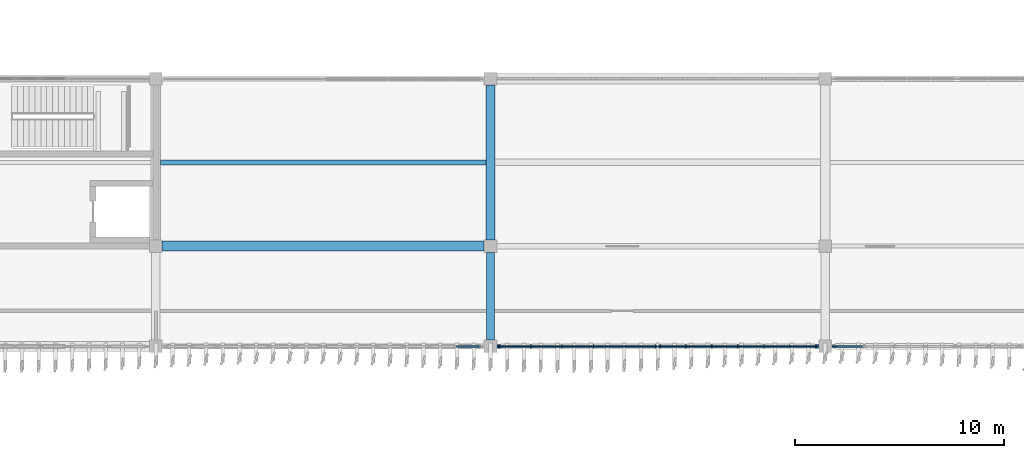
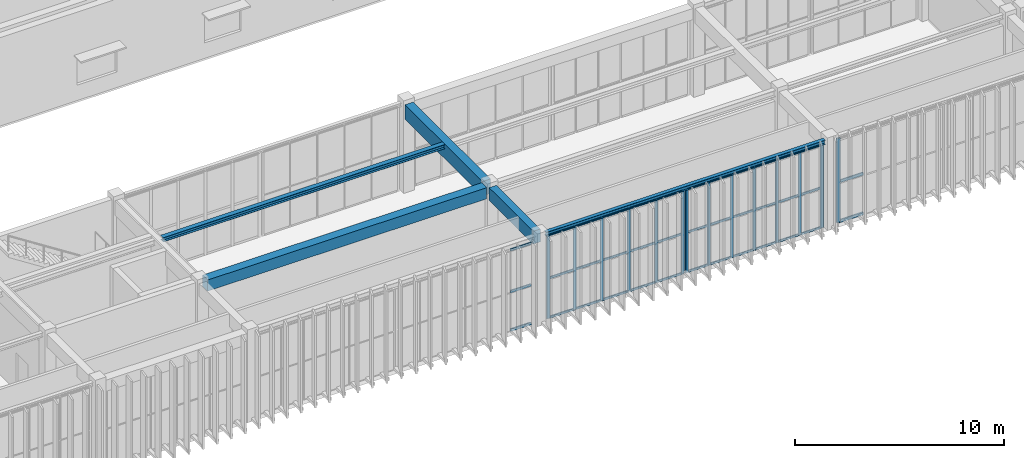
# One storey, part 16 of 64: 52 members, 5 beams, 4 elements without a shape of their own.
"""IFC4 building model written with IfcOpenShell, lengths in metres."""

from ifc_helpers import new_model, si_unit, direction, frame, origin, origin_2d, place, context, subcontext, project, spatial, rectangle, i_section, extrude, material, layer, layer_set, material_profile, profile_set, type_object, element, aggregate, save


model = new_model("IFC4")

# Units and contexts
model_context = context("Model", 3, precision=1e-05, world=origin(), true_north=direction((0.0, 1.0)))
body_context = subcontext(model_context, "Body", "Model", "MODEL_VIEW")
ifc_project = project(units=[si_unit("LENGTHUNIT", "METRE"), si_unit("AREAUNIT", "SQUARE_METRE"), si_unit("VOLUMEUNIT", "CUBIC_METRE"), si_unit("PLANEANGLEUNIT", "RADIAN"), si_unit("MASSUNIT", "GRAM", prefix="KILO")], contexts=[model_context])

# Site, building, storey
site_placement = place(None, origin())
site = spatial("IfcSite", under=ifc_project, at=site_placement, CompositionType="ELEMENT")
building_placement = place(site_placement, origin())
building = spatial("IfcBuilding", under=site, at=building_placement, Name="Cinchona Park Media Centre", CompositionType="ELEMENT")
storey_placement = place(building_placement, frame((0.0, 0.0, 10.199951171875)))
storey = spatial("IfcBuildingStorey", under=building, at=storey_placement, Name="L02", CompositionType="ELEMENT", Elevation=10.199951171875)

# Beams
ifc_material_1 = material(Name="Concrete C35/45", Category="concrete")
ifc_material_profile_1 = material_profile(ifc_material_1, rectangle(XDim=0.39990234375, YDim=0.75, at=origin_2d()), Name="RB 400X750")
ifc_profile_set_1 = profile_set([ifc_material_profile_1], Name="Concrete C35/45")
beam_type_1 = type_object("IfcBeamType", Name="BEAM-B01-RB400X750", PredefinedType="BEAM", material=ifc_profile_set_1)
beam_1_placement = place(storey_placement, frame((110.800048828125, 75.10009765625, 4.78515625), z_axis=(0.0, 1.0, 0.0), x_axis=(-1.0, 0.0, 0.0)))
element("IfcBeam", 1, at=beam_1_placement, inside=storey, type_object=beam_type_1, Name="Girder B01 L02", PredefinedType="BEAM", context=body_context, shape_type="SweptSolid", body=[
    extrude(rectangle(XDim=0.39990234375, YDim=0.75, at=origin_2d()), origin(), (0.0, 0.0, 1.0), 4.199951171875),
])
ifc_material_2 = material(Name="Concrete C35/45", Category="concrete")
ifc_material_profile_2 = material_profile(ifc_material_2, rectangle(XDim=0.449951171875, YDim=0.85009765625, at=origin_2d()), Name="RB 450X850")
ifc_profile_set_2 = profile_set([ifc_material_profile_2], Name="Concrete C35/45")
beam_type_2 = type_object("IfcBeamType", Name="BEAM-B02-RB450X850", PredefinedType="BEAM", material=ifc_profile_set_2)
beam_2_placement = place(storey_placement, frame((110.800048828125, 79.89990234375, 4.735107421875), z_axis=(0.0, 1.0, 0.0), x_axis=(-1.0, 0.0, 0.0)))
element("IfcBeam", 2, at=beam_2_placement, inside=storey, type_object=beam_type_2, Name="Girder B02 L02", PredefinedType="BEAM", context=body_context, shape_type="SweptSolid", body=[
    extrude(rectangle(XDim=0.449951171875, YDim=0.85009765625, at=origin_2d()), origin(), (0.0, 0.0, 1.0), 7.400146484375),
])
ifc_material_3 = material(Name="Concrete C40/50", Category="concrete")
ifc_material_profile_3 = material_profile(ifc_material_3, rectangle(XDim=0.47998046875, YDim=0.64990234375, at=origin_2d()), Name="RB 480X650")
ifc_profile_set_3 = profile_set([ifc_material_profile_3], Name="Concrete C40/50")
beam_type_3 = type_object("IfcBeamType", Name="BEAM-B07-RB480X650", PredefinedType="BEAM", material=ifc_profile_set_3)
beam_3_placement = place(storey_placement, frame((95.10009765625, 79.60009765625, 4.8349609375), z_axis=(1.0, 0.0, 0.0), x_axis=(0.0, 1.0, 0.0)))
element("IfcBeam", 3, at=beam_3_placement, inside=storey, type_object=beam_type_3, Name="Beam B07 L02", PredefinedType="BEAM", context=body_context, shape_type="SweptSolid", body=[
    extrude(rectangle(XDim=0.47998046875, YDim=0.64990234375, at=origin_2d()), origin(), (0.0, 0.0, 1.0), 15.39990234375),
])
ifc_material_4 = material(Name="Steel S355", Category="steel")
ifc_material_profile_4 = material_profile(ifc_material_4, i_section(OverallWidth=0.202880859375, OverallDepth=0.251953125, WebThickness=0.008056640625, FlangeThickness=0.013427734375, at=origin_2d()), Name="W250X58")
ifc_profile_set_4 = profile_set([ifc_material_profile_4], Name="Steel S355")
beam_type_4 = type_object("IfcBeamType", Name="BEAM-B09-W250X58", PredefinedType="BEAM", material=ifc_profile_set_4)
beam_4_placement = place(storey_placement, frame((111.10009765625, 74.800048828125, 5.033935546875), z_axis=(1.0, 0.0, 0.0), x_axis=(0.0, 1.0, 0.0)))
element("IfcBeam", 4, at=beam_4_placement, inside=storey, type_object=beam_type_4, Name="Beam B09 L02", PredefinedType="BEAM", context=body_context, shape_type="SweptSolid", body=[
    extrude(i_section(OverallWidth=0.202880859375, OverallDepth=0.251953125, WebThickness=0.008056640625, FlangeThickness=0.013427734375, at=origin_2d()), origin(), (0.0, 0.0, 1.0), 15.39990234375),
])
ifc_material_5 = material(Name="Steel S355", Category="steel")
ifc_material_profile_5 = material_profile(ifc_material_5, i_section(OverallWidth=0.25390625, OverallDepth=0.2529296875, WebThickness=0.008544921875, FlangeThickness=0.01416015625, at=origin_2d()), Name="W250X73")
ifc_profile_set_5 = profile_set([ifc_material_profile_5], Name="Steel S355")
beam_type_5 = type_object("IfcBeamType", Name="BEAM-J04-W250X73", PredefinedType="JOIST", material=ifc_profile_set_5)
beam_5_placement = place(storey_placement, frame((95.02490234375, 83.60009765625, 5.033447265625), z_axis=(1.0, 0.0, 0.0), x_axis=(0.0, 1.0, 0.0)))
element("IfcBeam", 5, at=beam_5_placement, inside=storey, type_object=beam_type_5, Name="Floor Joist J04 L02", PredefinedType="JOIST", context=body_context, shape_type="SweptSolid", body=[
    extrude(i_section(OverallWidth=0.25390625, OverallDepth=0.2529296875, WebThickness=0.008544921875, FlangeThickness=0.01416015625, at=origin_2d()), origin(), (0.0, 0.0, 1.0), 15.550048828125),
])

# Curtain wall, members
ifc_material_6 = material(Name="Aluminium Curtain Wall Framing", Category="aluminium")
ifc_layer_1 = layer(ifc_material_6, 0.22509765625)
ifc_layer_set_1 = layer_set([ifc_layer_1], Name="Aluminium Curtain Wall Framing")
curtain_wall_type_1 = type_object("IfcCurtainWallType", Name="CW-CW04", PredefinedType="USERDEFINED", material=ifc_layer_set_1)
curtain_wall_1_placement = place(storey_placement, origin())
curtain_wall_1 = element("IfcCurtainWall", 6, at=curtain_wall_1_placement, inside=storey, type_object=curtain_wall_type_1, Name="Curtain Wall CW04 L02", ObjectType="UNITISED CURTAIN WALL", PredefinedType="USERDEFINED")
ifc_material_7 = material(Name="Anodised Aluminium Alloy 6063-T6", Category="aluminium")
ifc_material_profile_6 = material_profile(ifc_material_7, rectangle(XDim=0.06494140625, YDim=0.159912109375, at=origin_2d()), Name="MUL-65X160")
ifc_profile_set_6 = profile_set([ifc_material_profile_6], Name="Anodised Aluminium Alloy 6063-T6")
member_type_1 = type_object("IfcMemberType", Name="MULLION-MUL01", PredefinedType="MULLION", material=ifc_profile_set_6)
member_1_placement = place(storey_placement, frame((126.347412109375, 74.800048828125, 0.050048828125), z_axis=(0.0, 0.0, 1.0), x_axis=(0.0, -1.0, 0.0)))
member_1 = element("IfcMember", 7, at=member_1_placement, type_object=member_type_1, Name="CW04 mullion 1", PredefinedType="MULLION", context=body_context, shape_type="SweptSolid", body=[
    extrude(rectangle(XDim=0.06494140625, YDim=0.159912109375, at=origin_2d()), origin(), (0.0, 0.0, 1.0), 4.85791015625),
])
member_2_placement = place(storey_placement, frame((125.1298828125, 74.800048828125, 0.050048828125), z_axis=(0.0, 0.0, 1.0), x_axis=(0.0, -1.0, 0.0)))
member_2 = element("IfcMember", 8, at=member_2_placement, type_object=member_type_1, Name="CW04 mullion 2", PredefinedType="MULLION", context=body_context, shape_type="SweptSolid", body=[
    extrude(rectangle(XDim=0.06494140625, YDim=0.159912109375, at=origin_2d()), origin(), (0.0, 0.0, 1.0), 4.85791015625),
])
member_3_placement = place(storey_placement, frame((123.8798828125, 74.800048828125, 0.050048828125), z_axis=(0.0, 0.0, 1.0), x_axis=(0.0, -1.0, 0.0)))
member_3 = element("IfcMember", 9, at=member_3_placement, type_object=member_type_1, Name="CW04 mullion 3", PredefinedType="MULLION", context=body_context, shape_type="SweptSolid", body=[
    extrude(rectangle(XDim=0.06494140625, YDim=0.159912109375, at=origin_2d()), origin(), (0.0, 0.0, 1.0), 4.85791015625),
])
member_4_placement = place(storey_placement, frame((122.6298828125, 74.800048828125, 0.050048828125), z_axis=(0.0, 0.0, 1.0), x_axis=(0.0, -1.0, 0.0)))
member_4 = element("IfcMember", 10, at=member_4_placement, type_object=member_type_1, Name="CW04 mullion 4", PredefinedType="MULLION", context=body_context, shape_type="SweptSolid", body=[
    extrude(rectangle(XDim=0.06494140625, YDim=0.159912109375, at=origin_2d()), origin(), (0.0, 0.0, 1.0), 4.85791015625),
])
member_5_placement = place(storey_placement, frame((121.3798828125, 74.800048828125, 0.050048828125), z_axis=(0.0, 0.0, 1.0), x_axis=(0.0, -1.0, 0.0)))
member_5 = element("IfcMember", 11, at=member_5_placement, type_object=member_type_1, Name="CW04 mullion 5", PredefinedType="MULLION", context=body_context, shape_type="SweptSolid", body=[
    extrude(rectangle(XDim=0.06494140625, YDim=0.159912109375, at=origin_2d()), origin(), (0.0, 0.0, 1.0), 4.85791015625),
])
member_6_placement = place(storey_placement, frame((120.1298828125, 74.800048828125, 0.050048828125), z_axis=(0.0, 0.0, 1.0), x_axis=(0.0, -1.0, 0.0)))
member_6 = element("IfcMember", 12, at=member_6_placement, type_object=member_type_1, Name="CW04 mullion 6", PredefinedType="MULLION", context=body_context, shape_type="SweptSolid", body=[
    extrude(rectangle(XDim=0.06494140625, YDim=0.159912109375, at=origin_2d()), origin(), (0.0, 0.0, 1.0), 4.85791015625),
])
member_7_placement = place(storey_placement, frame((118.91259765625, 74.800048828125, 0.050048828125), z_axis=(0.0, 0.0, 1.0), x_axis=(0.0, -1.0, 0.0)))
member_7 = element("IfcMember", 13, at=member_7_placement, type_object=member_type_1, Name="CW04 mullion 7", PredefinedType="MULLION", context=body_context, shape_type="SweptSolid", body=[
    extrude(rectangle(XDim=0.06494140625, YDim=0.159912109375, at=origin_2d()), origin(), (0.0, 0.0, 1.0), 4.85791015625),
])

ifc_material_8 = material(Name="Aluminium Curtain Wall Framing", Category="aluminium")
ifc_layer_2 = layer(ifc_material_8, 0.239990234375)
ifc_layer_set_2 = layer_set([ifc_layer_2], Name="Aluminium Curtain Wall Framing")
curtain_wall_type_2 = type_object("IfcCurtainWallType", Name="CW-CW05", PredefinedType="USERDEFINED", material=ifc_layer_set_2)
curtain_wall_2_placement = place(storey_placement, origin())
curtain_wall_2 = element("IfcCurtainWall", 14, at=curtain_wall_2_placement, inside=storey, type_object=curtain_wall_type_2, Name="Curtain Wall CW05 L02", ObjectType="UNITISED CURTAIN WALL", PredefinedType="USERDEFINED")
member_8_placement = place(storey_placement, frame((118.6875, 74.800048828125, 0.050048828125), z_axis=(0.0, 0.0, 1.0), x_axis=(0.0, -1.0, 0.0)))
member_8 = element("IfcMember", 15, at=member_8_placement, type_object=member_type_1, Name="CW05 mullion 1", PredefinedType="MULLION", context=body_context, shape_type="SweptSolid", body=[
    extrude(rectangle(XDim=0.06494140625, YDim=0.159912109375, at=origin_2d()), origin(), (0.0, 0.0, 1.0), 4.85791015625),
])
member_9_placement = place(storey_placement, frame((117.219970703125, 74.800048828125, 0.050048828125), z_axis=(0.0, 0.0, 1.0), x_axis=(0.0, -1.0, 0.0)))
member_9 = element("IfcMember", 16, at=member_9_placement, type_object=member_type_1, Name="CW05 mullion 2", PredefinedType="MULLION", context=body_context, shape_type="SweptSolid", body=[
    extrude(rectangle(XDim=0.06494140625, YDim=0.159912109375, at=origin_2d()), origin(), (0.0, 0.0, 1.0), 4.85791015625),
])
member_10_placement = place(storey_placement, frame((115.719970703125, 74.800048828125, 0.050048828125), z_axis=(0.0, 0.0, 1.0), x_axis=(0.0, -1.0, 0.0)))
member_10 = element("IfcMember", 17, at=member_10_placement, type_object=member_type_1, Name="CW05 mullion 3", PredefinedType="MULLION", context=body_context, shape_type="SweptSolid", body=[
    extrude(rectangle(XDim=0.06494140625, YDim=0.159912109375, at=origin_2d()), origin(), (0.0, 0.0, 1.0), 4.85791015625),
])
member_11_placement = place(storey_placement, frame((114.219970703125, 74.800048828125, 0.050048828125), z_axis=(0.0, 0.0, 1.0), x_axis=(0.0, -1.0, 0.0)))
member_11 = element("IfcMember", 18, at=member_11_placement, type_object=member_type_1, Name="CW05 mullion 4", PredefinedType="MULLION", context=body_context, shape_type="SweptSolid", body=[
    extrude(rectangle(XDim=0.06494140625, YDim=0.159912109375, at=origin_2d()), origin(), (0.0, 0.0, 1.0), 4.85791015625),
])
member_12_placement = place(storey_placement, frame((112.719970703125, 74.800048828125, 0.050048828125), z_axis=(0.0, 0.0, 1.0), x_axis=(0.0, -1.0, 0.0)))
member_12 = element("IfcMember", 19, at=member_12_placement, type_object=member_type_1, Name="CW05 mullion 5", PredefinedType="MULLION", context=body_context, shape_type="SweptSolid", body=[
    extrude(rectangle(XDim=0.06494140625, YDim=0.159912109375, at=origin_2d()), origin(), (0.0, 0.0, 1.0), 4.85791015625),
])
member_13_placement = place(storey_placement, frame((111.25244140625, 74.800048828125, 0.050048828125), z_axis=(0.0, 0.0, 1.0), x_axis=(0.0, -1.0, 0.0)))
member_13 = element("IfcMember", 20, at=member_13_placement, type_object=member_type_1, Name="CW05 mullion 6", PredefinedType="MULLION", context=body_context, shape_type="SweptSolid", body=[
    extrude(rectangle(XDim=0.06494140625, YDim=0.159912109375, at=origin_2d()), origin(), (0.0, 0.0, 1.0), 4.85791015625),
])

# Curtain wall, member
ifc_material_9 = material(Name="Aluminium Curtain Wall Framing", Category="aluminium")
ifc_layer_3 = layer(ifc_material_9, 0.27001953125)
ifc_layer_set_3 = layer_set([ifc_layer_3], Name="Aluminium Curtain Wall Framing")
curtain_wall_type_3 = type_object("IfcCurtainWallType", Name="CW-CW07", PredefinedType="USERDEFINED", material=ifc_layer_set_3)
curtain_wall_3_placement = place(storey_placement, origin())
curtain_wall_3 = element("IfcCurtainWall", 21, at=curtain_wall_3_placement, inside=storey, type_object=curtain_wall_type_3, Name="Curtain Wall CW07 L02", ObjectType="UNITISED CURTAIN WALL", PredefinedType="USERDEFINED")
ifc_material_10 = material(Name="Anodised Aluminium Alloy 6063-T6", Category="aluminium")
ifc_material_profile_7 = material_profile(ifc_material_10, rectangle(XDim=0.074951171875, YDim=0.2099609375, at=origin_2d()), Name="MUL-75X210")
ifc_profile_set_7 = profile_set([ifc_material_profile_7], Name="Anodised Aluminium Alloy 6063-T6")
member_type_2 = type_object("IfcMemberType", Name="MULLION-MUL03", PredefinedType="MULLION", material=ifc_profile_set_7)
member_14_placement = place(storey_placement, frame((127.257568359375, 74.800048828125, 0.050048828125), z_axis=(0.0, 0.0, 1.0), x_axis=(0.0, -1.0, 0.0)))
member_14 = element("IfcMember", 22, at=member_14_placement, type_object=member_type_2, Name="CW07 mullion 5", PredefinedType="MULLION", context=body_context, shape_type="SweptSolid", body=[
    extrude(rectangle(XDim=0.074951171875, YDim=0.2099609375, at=origin_2d()), origin(), (0.0, 0.0, 1.0), 4.906982421875),
])

# Member
ifc_material_11 = material(Name="Anodised Aluminium Alloy 6063-T6", Category="aluminium")
ifc_material_profile_8 = material_profile(ifc_material_11, rectangle(XDim=0.06494140625, YDim=0.1201171875, at=origin_2d()), Name="TRN-65X120")
ifc_profile_set_8 = profile_set([ifc_material_profile_8], Name="Anodised Aluminium Alloy 6063-T6")
member_type_3 = type_object("IfcMemberType", Name="TRANSOM-TRN01", PredefinedType="USERDEFINED", material=ifc_profile_set_8)
member_15_placement = place(storey_placement, frame((126.31494140625, 74.800048828125, 0.08251953125), z_axis=(-1.0, 0.0, 0.0), x_axis=(0.0, -1.0, 0.0)))
member_15 = element("IfcMember", 23, at=member_15_placement, type_object=member_type_3, Name="CW04 transom 1.1", ObjectType="TRANSOM", PredefinedType="USERDEFINED", context=body_context, shape_type="SweptSolid", body=[
    extrude(rectangle(XDim=0.06494140625, YDim=0.1201171875, at=origin_2d()), origin(), (0.0, 0.0, 1.0), 1.15234375),
])

member_16_placement = place(storey_placement, frame((126.31494140625, 74.800048828125, 2.382080078125), z_axis=(-1.0, 0.0, 0.0), x_axis=(0.0, -1.0, 0.0)))
member_16 = element("IfcMember", 24, at=member_16_placement, type_object=member_type_3, Name="CW04 transom 1.2", ObjectType="TRANSOM", PredefinedType="USERDEFINED", context=body_context, shape_type="SweptSolid", body=[
    extrude(rectangle(XDim=0.06494140625, YDim=0.1201171875, at=origin_2d()), origin(), (0.0, 0.0, 1.0), 1.15234375),
])

member_17_placement = place(storey_placement, frame((126.31494140625, 74.800048828125, 4.87548828125), z_axis=(-1.0, 0.0, 0.0), x_axis=(0.0, -1.0, 0.0)))
member_17 = element("IfcMember", 25, at=member_17_placement, type_object=member_type_3, Name="CW04 transom 1.3", ObjectType="TRANSOM", PredefinedType="USERDEFINED", context=body_context, shape_type="SweptSolid", body=[
    extrude(rectangle(XDim=0.06494140625, YDim=0.1201171875, at=origin_2d()), origin(), (0.0, 0.0, 1.0), 1.15234375),
])

member_18_placement = place(storey_placement, frame((125.097412109375, 74.800048828125, 0.08251953125), z_axis=(-1.0, 0.0, 0.0), x_axis=(0.0, -1.0, 0.0)))
member_18 = element("IfcMember", 26, at=member_18_placement, type_object=member_type_3, Name="CW04 transom 2.1", ObjectType="TRANSOM", PredefinedType="USERDEFINED", context=body_context, shape_type="SweptSolid", body=[
    extrude(rectangle(XDim=0.06494140625, YDim=0.1201171875, at=origin_2d()), origin(), (0.0, 0.0, 1.0), 1.184814453125),
])

member_19_placement = place(storey_placement, frame((125.097412109375, 74.800048828125, 2.382080078125), z_axis=(-1.0, 0.0, 0.0), x_axis=(0.0, -1.0, 0.0)))
member_19 = element("IfcMember", 27, at=member_19_placement, type_object=member_type_3, Name="CW04 transom 2.2", ObjectType="TRANSOM", PredefinedType="USERDEFINED", context=body_context, shape_type="SweptSolid", body=[
    extrude(rectangle(XDim=0.06494140625, YDim=0.1201171875, at=origin_2d()), origin(), (0.0, 0.0, 1.0), 1.184814453125),
])

member_20_placement = place(storey_placement, frame((125.097412109375, 74.800048828125, 4.87548828125), z_axis=(-1.0, 0.0, 0.0), x_axis=(0.0, -1.0, 0.0)))
member_20 = element("IfcMember", 28, at=member_20_placement, type_object=member_type_3, Name="CW04 transom 2.3", ObjectType="TRANSOM", PredefinedType="USERDEFINED", context=body_context, shape_type="SweptSolid", body=[
    extrude(rectangle(XDim=0.06494140625, YDim=0.1201171875, at=origin_2d()), origin(), (0.0, 0.0, 1.0), 1.184814453125),
])

member_21_placement = place(storey_placement, frame((123.847412109375, 74.800048828125, 0.08251953125), z_axis=(-1.0, 0.0, 0.0), x_axis=(0.0, -1.0, 0.0)))
member_21 = element("IfcMember", 29, at=member_21_placement, type_object=member_type_3, Name="CW04 transom 3.1", ObjectType="TRANSOM", PredefinedType="USERDEFINED", context=body_context, shape_type="SweptSolid", body=[
    extrude(rectangle(XDim=0.06494140625, YDim=0.1201171875, at=origin_2d()), origin(), (0.0, 0.0, 1.0), 1.184814453125),
])

member_22_placement = place(storey_placement, frame((123.847412109375, 74.800048828125, 2.382080078125), z_axis=(-1.0, 0.0, 0.0), x_axis=(0.0, -1.0, 0.0)))
member_22 = element("IfcMember", 30, at=member_22_placement, type_object=member_type_3, Name="CW04 transom 3.2", ObjectType="TRANSOM", PredefinedType="USERDEFINED", context=body_context, shape_type="SweptSolid", body=[
    extrude(rectangle(XDim=0.06494140625, YDim=0.1201171875, at=origin_2d()), origin(), (0.0, 0.0, 1.0), 1.184814453125),
])

member_23_placement = place(storey_placement, frame((123.847412109375, 74.800048828125, 4.87548828125), z_axis=(-1.0, 0.0, 0.0), x_axis=(0.0, -1.0, 0.0)))
member_23 = element("IfcMember", 31, at=member_23_placement, type_object=member_type_3, Name="CW04 transom 3.3", ObjectType="TRANSOM", PredefinedType="USERDEFINED", context=body_context, shape_type="SweptSolid", body=[
    extrude(rectangle(XDim=0.06494140625, YDim=0.1201171875, at=origin_2d()), origin(), (0.0, 0.0, 1.0), 1.184814453125),
])

member_24_placement = place(storey_placement, frame((122.597412109375, 74.800048828125, 0.08251953125), z_axis=(-1.0, 0.0, 0.0), x_axis=(0.0, -1.0, 0.0)))
member_24 = element("IfcMember", 32, at=member_24_placement, type_object=member_type_3, Name="CW04 transom 4.1", ObjectType="TRANSOM", PredefinedType="USERDEFINED", context=body_context, shape_type="SweptSolid", body=[
    extrude(rectangle(XDim=0.06494140625, YDim=0.1201171875, at=origin_2d()), origin(), (0.0, 0.0, 1.0), 1.184814453125),
])

member_25_placement = place(storey_placement, frame((122.597412109375, 74.800048828125, 2.382080078125), z_axis=(-1.0, 0.0, 0.0), x_axis=(0.0, -1.0, 0.0)))
member_25 = element("IfcMember", 33, at=member_25_placement, type_object=member_type_3, Name="CW04 transom 4.2", ObjectType="TRANSOM", PredefinedType="USERDEFINED", context=body_context, shape_type="SweptSolid", body=[
    extrude(rectangle(XDim=0.06494140625, YDim=0.1201171875, at=origin_2d()), origin(), (0.0, 0.0, 1.0), 1.184814453125),
])

member_26_placement = place(storey_placement, frame((122.597412109375, 74.800048828125, 4.87548828125), z_axis=(-1.0, 0.0, 0.0), x_axis=(0.0, -1.0, 0.0)))
member_26 = element("IfcMember", 34, at=member_26_placement, type_object=member_type_3, Name="CW04 transom 4.3", ObjectType="TRANSOM", PredefinedType="USERDEFINED", context=body_context, shape_type="SweptSolid", body=[
    extrude(rectangle(XDim=0.06494140625, YDim=0.1201171875, at=origin_2d()), origin(), (0.0, 0.0, 1.0), 1.184814453125),
])

member_27_placement = place(storey_placement, frame((121.347412109375, 74.800048828125, 0.08251953125), z_axis=(-1.0, 0.0, 0.0), x_axis=(0.0, -1.0, 0.0)))
member_27 = element("IfcMember", 35, at=member_27_placement, type_object=member_type_3, Name="CW04 transom 5.1", ObjectType="TRANSOM", PredefinedType="USERDEFINED", context=body_context, shape_type="SweptSolid", body=[
    extrude(rectangle(XDim=0.06494140625, YDim=0.1201171875, at=origin_2d()), origin(), (0.0, 0.0, 1.0), 1.184814453125),
])

member_28_placement = place(storey_placement, frame((121.347412109375, 74.800048828125, 2.382080078125), z_axis=(-1.0, 0.0, 0.0), x_axis=(0.0, -1.0, 0.0)))
member_28 = element("IfcMember", 36, at=member_28_placement, type_object=member_type_3, Name="CW04 transom 5.2", ObjectType="TRANSOM", PredefinedType="USERDEFINED", context=body_context, shape_type="SweptSolid", body=[
    extrude(rectangle(XDim=0.06494140625, YDim=0.1201171875, at=origin_2d()), origin(), (0.0, 0.0, 1.0), 1.184814453125),
])

member_29_placement = place(storey_placement, frame((121.347412109375, 74.800048828125, 4.87548828125), z_axis=(-1.0, 0.0, 0.0), x_axis=(0.0, -1.0, 0.0)))
member_29 = element("IfcMember", 37, at=member_29_placement, type_object=member_type_3, Name="CW04 transom 5.3", ObjectType="TRANSOM", PredefinedType="USERDEFINED", context=body_context, shape_type="SweptSolid", body=[
    extrude(rectangle(XDim=0.06494140625, YDim=0.1201171875, at=origin_2d()), origin(), (0.0, 0.0, 1.0), 1.184814453125),
])

member_30_placement = place(storey_placement, frame((120.097412109375, 74.800048828125, 0.08251953125), z_axis=(-1.0, 0.0, 0.0), x_axis=(0.0, -1.0, 0.0)))
member_30 = element("IfcMember", 38, at=member_30_placement, type_object=member_type_3, Name="CW04 transom 6.1", ObjectType="TRANSOM", PredefinedType="USERDEFINED", context=body_context, shape_type="SweptSolid", body=[
    extrude(rectangle(XDim=0.06494140625, YDim=0.1201171875, at=origin_2d()), origin(), (0.0, 0.0, 1.0), 1.15234375),
])

member_31_placement = place(storey_placement, frame((120.097412109375, 74.800048828125, 2.382080078125), z_axis=(-1.0, 0.0, 0.0), x_axis=(0.0, -1.0, 0.0)))
member_31 = element("IfcMember", 39, at=member_31_placement, type_object=member_type_3, Name="CW04 transom 6.2", ObjectType="TRANSOM", PredefinedType="USERDEFINED", context=body_context, shape_type="SweptSolid", body=[
    extrude(rectangle(XDim=0.06494140625, YDim=0.1201171875, at=origin_2d()), origin(), (0.0, 0.0, 1.0), 1.15234375),
])

member_32_placement = place(storey_placement, frame((120.097412109375, 74.800048828125, 4.87548828125), z_axis=(-1.0, 0.0, 0.0), x_axis=(0.0, -1.0, 0.0)))
member_32 = element("IfcMember", 40, at=member_32_placement, type_object=member_type_3, Name="CW04 transom 6.3", ObjectType="TRANSOM", PredefinedType="USERDEFINED", context=body_context, shape_type="SweptSolid", body=[
    extrude(rectangle(XDim=0.06494140625, YDim=0.1201171875, at=origin_2d()), origin(), (0.0, 0.0, 1.0), 1.15234375),
])

aggregate(curtain_wall_1, [member_1, member_2, member_3, member_4, member_5, member_6, member_7, member_15, member_16, member_17, member_18, member_19, member_20, member_21, member_22, member_23, member_24, member_25, member_26, member_27, member_28, member_29, member_30, member_31, member_32])

member_33_placement = place(storey_placement, frame((118.655029296875, 74.800048828125, 0.08251953125), z_axis=(-1.0, 0.0, 0.0), x_axis=(0.0, -1.0, 0.0)))
member_33 = element("IfcMember", 41, at=member_33_placement, type_object=member_type_3, Name="CW05 transom 1.1", ObjectType="TRANSOM", PredefinedType="USERDEFINED", context=body_context, shape_type="SweptSolid", body=[
    extrude(rectangle(XDim=0.06494140625, YDim=0.1201171875, at=origin_2d()), origin(), (0.0, 0.0, 1.0), 1.402587890625),
])

member_34_placement = place(storey_placement, frame((118.655029296875, 74.800048828125, 2.382080078125), z_axis=(-1.0, 0.0, 0.0), x_axis=(0.0, -1.0, 0.0)))
member_34 = element("IfcMember", 42, at=member_34_placement, type_object=member_type_3, Name="CW05 transom 1.2", ObjectType="TRANSOM", PredefinedType="USERDEFINED", context=body_context, shape_type="SweptSolid", body=[
    extrude(rectangle(XDim=0.06494140625, YDim=0.1201171875, at=origin_2d()), origin(), (0.0, 0.0, 1.0), 1.402587890625),
])

member_35_placement = place(storey_placement, frame((118.655029296875, 74.800048828125, 4.87548828125), z_axis=(-1.0, 0.0, 0.0), x_axis=(0.0, -1.0, 0.0)))
member_35 = element("IfcMember", 43, at=member_35_placement, type_object=member_type_3, Name="CW05 transom 1.3", ObjectType="TRANSOM", PredefinedType="USERDEFINED", context=body_context, shape_type="SweptSolid", body=[
    extrude(rectangle(XDim=0.06494140625, YDim=0.1201171875, at=origin_2d()), origin(), (0.0, 0.0, 1.0), 1.402587890625),
])

member_36_placement = place(storey_placement, frame((117.1875, 74.800048828125, 0.08251953125), z_axis=(-1.0, 0.0, 0.0), x_axis=(0.0, -1.0, 0.0)))
member_36 = element("IfcMember", 44, at=member_36_placement, type_object=member_type_3, Name="CW05 transom 2.1", ObjectType="TRANSOM", PredefinedType="USERDEFINED", context=body_context, shape_type="SweptSolid", body=[
    extrude(rectangle(XDim=0.06494140625, YDim=0.1201171875, at=origin_2d()), origin(), (0.0, 0.0, 1.0), 1.43505859375),
])

member_37_placement = place(storey_placement, frame((117.1875, 74.800048828125, 2.382080078125), z_axis=(-1.0, 0.0, 0.0), x_axis=(0.0, -1.0, 0.0)))
member_37 = element("IfcMember", 45, at=member_37_placement, type_object=member_type_3, Name="CW05 transom 2.2", ObjectType="TRANSOM", PredefinedType="USERDEFINED", context=body_context, shape_type="SweptSolid", body=[
    extrude(rectangle(XDim=0.06494140625, YDim=0.1201171875, at=origin_2d()), origin(), (0.0, 0.0, 1.0), 1.43505859375),
])

member_38_placement = place(storey_placement, frame((117.1875, 74.800048828125, 4.87548828125), z_axis=(-1.0, 0.0, 0.0), x_axis=(0.0, -1.0, 0.0)))
member_38 = element("IfcMember", 46, at=member_38_placement, type_object=member_type_3, Name="CW05 transom 2.3", ObjectType="TRANSOM", PredefinedType="USERDEFINED", context=body_context, shape_type="SweptSolid", body=[
    extrude(rectangle(XDim=0.06494140625, YDim=0.1201171875, at=origin_2d()), origin(), (0.0, 0.0, 1.0), 1.43505859375),
])

member_39_placement = place(storey_placement, frame((115.6875, 74.800048828125, 0.08251953125), z_axis=(-1.0, 0.0, 0.0), x_axis=(0.0, -1.0, 0.0)))
member_39 = element("IfcMember", 47, at=member_39_placement, type_object=member_type_3, Name="CW05 transom 3.1", ObjectType="TRANSOM", PredefinedType="USERDEFINED", context=body_context, shape_type="SweptSolid", body=[
    extrude(rectangle(XDim=0.06494140625, YDim=0.1201171875, at=origin_2d()), origin(), (0.0, 0.0, 1.0), 1.43505859375),
])

member_40_placement = place(storey_placement, frame((115.6875, 74.800048828125, 2.382080078125), z_axis=(-1.0, 0.0, 0.0), x_axis=(0.0, -1.0, 0.0)))
member_40 = element("IfcMember", 48, at=member_40_placement, type_object=member_type_3, Name="CW05 transom 3.2", ObjectType="TRANSOM", PredefinedType="USERDEFINED", context=body_context, shape_type="SweptSolid", body=[
    extrude(rectangle(XDim=0.06494140625, YDim=0.1201171875, at=origin_2d()), origin(), (0.0, 0.0, 1.0), 1.43505859375),
])

member_41_placement = place(storey_placement, frame((115.6875, 74.800048828125, 4.87548828125), z_axis=(-1.0, 0.0, 0.0), x_axis=(0.0, -1.0, 0.0)))
member_41 = element("IfcMember", 49, at=member_41_placement, type_object=member_type_3, Name="CW05 transom 3.3", ObjectType="TRANSOM", PredefinedType="USERDEFINED", context=body_context, shape_type="SweptSolid", body=[
    extrude(rectangle(XDim=0.06494140625, YDim=0.1201171875, at=origin_2d()), origin(), (0.0, 0.0, 1.0), 1.43505859375),
])

member_42_placement = place(storey_placement, frame((114.1875, 74.800048828125, 0.08251953125), z_axis=(-1.0, 0.0, 0.0), x_axis=(0.0, -1.0, 0.0)))
member_42 = element("IfcMember", 50, at=member_42_placement, type_object=member_type_3, Name="CW05 transom 4.1", ObjectType="TRANSOM", PredefinedType="USERDEFINED", context=body_context, shape_type="SweptSolid", body=[
    extrude(rectangle(XDim=0.06494140625, YDim=0.1201171875, at=origin_2d()), origin(), (0.0, 0.0, 1.0), 1.43505859375),
])

member_43_placement = place(storey_placement, frame((114.1875, 74.800048828125, 2.382080078125), z_axis=(-1.0, 0.0, 0.0), x_axis=(0.0, -1.0, 0.0)))
member_43 = element("IfcMember", 51, at=member_43_placement, type_object=member_type_3, Name="CW05 transom 4.2", ObjectType="TRANSOM", PredefinedType="USERDEFINED", context=body_context, shape_type="SweptSolid", body=[
    extrude(rectangle(XDim=0.06494140625, YDim=0.1201171875, at=origin_2d()), origin(), (0.0, 0.0, 1.0), 1.43505859375),
])

member_44_placement = place(storey_placement, frame((114.1875, 74.800048828125, 4.87548828125), z_axis=(-1.0, 0.0, 0.0), x_axis=(0.0, -1.0, 0.0)))
member_44 = element("IfcMember", 52, at=member_44_placement, type_object=member_type_3, Name="CW05 transom 4.3", ObjectType="TRANSOM", PredefinedType="USERDEFINED", context=body_context, shape_type="SweptSolid", body=[
    extrude(rectangle(XDim=0.06494140625, YDim=0.1201171875, at=origin_2d()), origin(), (0.0, 0.0, 1.0), 1.43505859375),
])

member_45_placement = place(storey_placement, frame((112.6875, 74.800048828125, 0.08251953125), z_axis=(-1.0, 0.0, 0.0), x_axis=(0.0, -1.0, 0.0)))
member_45 = element("IfcMember", 53, at=member_45_placement, type_object=member_type_3, Name="CW05 transom 5.1", ObjectType="TRANSOM", PredefinedType="USERDEFINED", context=body_context, shape_type="SweptSolid", body=[
    extrude(rectangle(XDim=0.06494140625, YDim=0.1201171875, at=origin_2d()), origin(), (0.0, 0.0, 1.0), 1.402587890625),
])

member_46_placement = place(storey_placement, frame((112.6875, 74.800048828125, 2.382080078125), z_axis=(-1.0, 0.0, 0.0), x_axis=(0.0, -1.0, 0.0)))
member_46 = element("IfcMember", 54, at=member_46_placement, type_object=member_type_3, Name="CW05 transom 5.2", ObjectType="TRANSOM", PredefinedType="USERDEFINED", context=body_context, shape_type="SweptSolid", body=[
    extrude(rectangle(XDim=0.06494140625, YDim=0.1201171875, at=origin_2d()), origin(), (0.0, 0.0, 1.0), 1.402587890625),
])

member_47_placement = place(storey_placement, frame((112.6875, 74.800048828125, 4.87548828125), z_axis=(-1.0, 0.0, 0.0), x_axis=(0.0, -1.0, 0.0)))
member_47 = element("IfcMember", 55, at=member_47_placement, type_object=member_type_3, Name="CW05 transom 5.3", ObjectType="TRANSOM", PredefinedType="USERDEFINED", context=body_context, shape_type="SweptSolid", body=[
    extrude(rectangle(XDim=0.06494140625, YDim=0.1201171875, at=origin_2d()), origin(), (0.0, 0.0, 1.0), 1.402587890625),
])

aggregate(curtain_wall_2, [member_8, member_9, member_10, member_11, member_12, member_13, member_33, member_34, member_35, member_36, member_37, member_38, member_39, member_40, member_41, member_42, member_43, member_44, member_45, member_46, member_47])

# Curtain wall, members
ifc_material_12 = material(Name="Aluminium Curtain Wall Framing", Category="aluminium")
ifc_layer_4 = layer(ifc_material_12, 0.195068359375)
ifc_layer_set_4 = layer_set([ifc_layer_4], Name="Aluminium Curtain Wall Framing")
curtain_wall_type_4 = type_object("IfcCurtainWallType", Name="CW-CW02", PredefinedType="USERDEFINED", material=ifc_layer_set_4)
curtain_wall_4_placement = place(storey_placement, origin())
curtain_wall_4 = element("IfcCurtainWall", 56, at=curtain_wall_4_placement, inside=storey, type_object=curtain_wall_type_4, Name="Curtain Wall CW02 L02", ObjectType="UNITISED CURTAIN WALL", PredefinedType="USERDEFINED")
ifc_material_13 = material(Name="Anodised Aluminium Alloy 6063-T6", Category="aluminium")
ifc_material_profile_9 = material_profile(ifc_material_13, rectangle(XDim=0.070068359375, YDim=0.139892578125, at=origin_2d()), Name="TRN-70X140")
ifc_profile_set_9 = profile_set([ifc_material_profile_9], Name="Anodised Aluminium Alloy 6063-T6")
member_type_4 = type_object("IfcMemberType", Name="TRANSOM-TRN02", PredefinedType="USERDEFINED", material=ifc_profile_set_9)
member_48_placement = place(storey_placement, frame((110.31005859375, 74.800048828125, 0.0849609375), z_axis=(-1.0, 0.0, 0.0), x_axis=(0.0, -1.0, 0.0)))
member_48 = element("IfcMember", 57, at=member_48_placement, type_object=member_type_4, Name="CW02 transom 1.1", ObjectType="TRANSOM", PredefinedType="USERDEFINED", context=body_context, shape_type="SweptSolid", body=[
    extrude(rectangle(XDim=0.070068359375, YDim=0.139892578125, at=origin_2d()), origin(), (0.0, 0.0, 1.0), 1.14501953125),
])
member_49_placement = place(storey_placement, frame((110.31005859375, 74.800048828125, 2.3291015625), z_axis=(-1.0, 0.0, 0.0), x_axis=(0.0, -1.0, 0.0)))
member_49 = element("IfcMember", 58, at=member_49_placement, type_object=member_type_4, Name="CW02 transom 1.2", ObjectType="TRANSOM", PredefinedType="USERDEFINED", context=body_context, shape_type="SweptSolid", body=[
    extrude(rectangle(XDim=0.070068359375, YDim=0.139892578125, at=origin_2d()), origin(), (0.0, 0.0, 1.0), 1.14501953125),
])
member_50_placement = place(storey_placement, frame((110.31005859375, 74.800048828125, 4.761962890625), z_axis=(-1.0, 0.0, 0.0), x_axis=(0.0, -1.0, 0.0)))
member_50 = element("IfcMember", 59, at=member_50_placement, type_object=member_type_4, Name="CW02 transom 1.3", ObjectType="TRANSOM", PredefinedType="USERDEFINED", context=body_context, shape_type="SweptSolid", body=[
    extrude(rectangle(XDim=0.070068359375, YDim=0.139892578125, at=origin_2d()), origin(), (0.0, 0.0, 1.0), 1.14501953125),
])
aggregate(curtain_wall_4, [member_48, member_49, member_50])

# Member
ifc_material_14 = material(Name="Anodised Aluminium Alloy 6063-T6", Category="aluminium")
ifc_material_profile_10 = material_profile(ifc_material_14, rectangle(XDim=0.074951171875, YDim=0.159912109375, at=origin_2d()), Name="TRN-75X160")
ifc_profile_set_10 = profile_set([ifc_material_profile_10], Name="Anodised Aluminium Alloy 6063-T6")
member_type_5 = type_object("IfcMemberType", Name="TRANSOM-TRN03", PredefinedType="USERDEFINED", material=ifc_profile_set_10)
member_51_placement = place(storey_placement, frame((128.632568359375, 74.800048828125, 0.087646484375), z_axis=(-1.0, 0.0, 0.0), x_axis=(0.0, -1.0, 0.0)))
member_51 = element("IfcMember", 60, at=member_51_placement, type_object=member_type_5, Name="CW07 transom 4.1", ObjectType="TRANSOM", PredefinedType="USERDEFINED", context=body_context, shape_type="SweptSolid", body=[
    extrude(rectangle(XDim=0.074951171875, YDim=0.159912109375, at=origin_2d()), origin(), (0.0, 0.0, 1.0), 1.337646484375),
])

member_52_placement = place(storey_placement, frame((128.632568359375, 74.800048828125, 2.405029296875), z_axis=(-1.0, 0.0, 0.0), x_axis=(0.0, -1.0, 0.0)))
member_52 = element("IfcMember", 61, at=member_52_placement, type_object=member_type_5, Name="CW07 transom 4.2", ObjectType="TRANSOM", PredefinedType="USERDEFINED", context=body_context, shape_type="SweptSolid", body=[
    extrude(rectangle(XDim=0.074951171875, YDim=0.159912109375, at=origin_2d()), origin(), (0.0, 0.0, 1.0), 1.337646484375),
])

aggregate(curtain_wall_3, [member_14, member_51, member_52])

save(model, "model.ifc")
